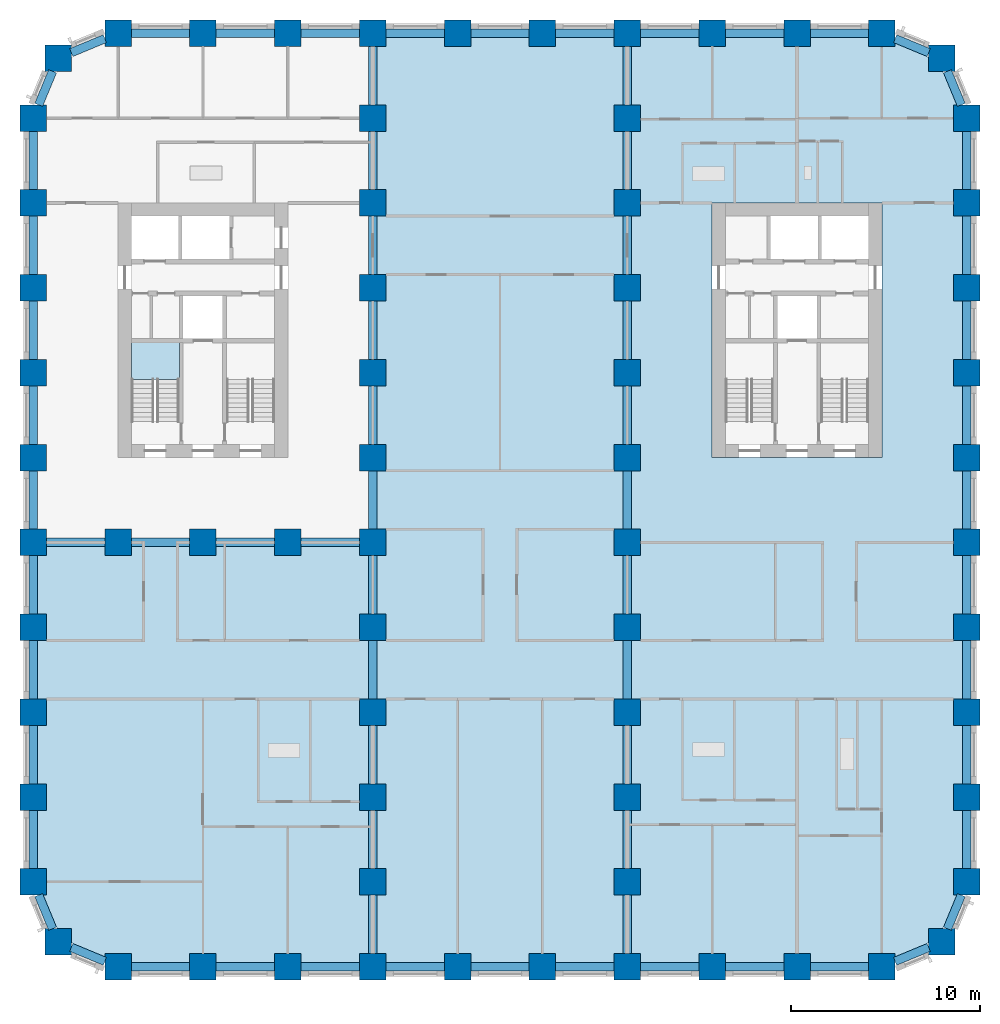
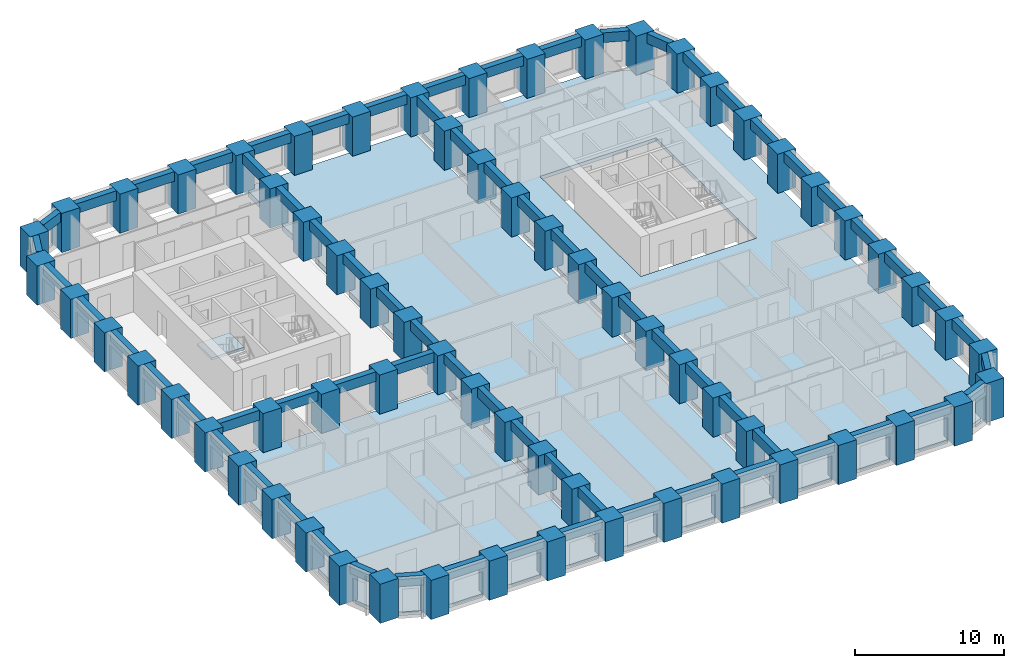
# One storey, part 1 of 12: 70 beams, 67 columns, 4 slabs, 1 element without a shape of its own.
"""IFC4 building model written with IfcOpenShell, lengths in metres."""

import ifcopenshell
import ifcopenshell.guid

model = None  # the IFC model being written
_history = None  # IfcOwnerHistory: only IFC2X3 demands one
_inside = {}  # id of a spatial element -> (the spatial element, [elements in it])
_under = {}  # id of a project, library or spatial element -> (it, [spatial elements below it])
_declared = {}  # id of a project -> (the project, [libraries it declares])
_typed = {}  # id of a type object -> (the type object, [elements of that type])
_made_of = {}  # id of a material, layer set ... -> (it, [elements and type objects made of it])


def new_model(schema):
    """Start an empty IFC model of exactly this schema.

    Asked for "IFC4X3", IfcOpenShell would pick the latest addendum, in which some entities
    have other attributes; the version numbers below select the first issue.
    IFC2X3 requires an IfcOwnerHistory on every rooted entity: one is made here for all.
    """
    global model, _history
    if schema == "IFC4X3":
        model = ifcopenshell.file(schema_version=(4, 3, 0, 0))
    else:
        model = ifcopenshell.file(schema=schema)
    _inside.clear()
    _under.clear()
    _declared.clear()
    _typed.clear()
    _made_of.clear()
    _history = None
    if model.schema == "IFC2X3":
        org = make("IfcOrganization", Name="unknown")
        user = make(
            "IfcPersonAndOrganization",
            ThePerson=make("IfcPerson", FamilyName="unknown"),
            TheOrganization=org,
        )
        app = make(
            "IfcApplication",
            ApplicationDeveloper=org,
            Version="unknown",
            ApplicationFullName="unknown",
            ApplicationIdentifier="unknown",
        )
        _history = make(
            "IfcOwnerHistory",
            OwningUser=user,
            OwningApplication=app,
            ChangeAction="ADDED",
            CreationDate=0,
        )
    return model


def make(cls, **values):
    """One entity of the class cls with the attributes given. An attribute that is None is left unset."""
    return model.create_entity(
        cls, **{name: value for name, value in values.items() if value is not None}
    )


def rooted(cls, **values):
    """An entity with a GlobalId (a new one), such as an element, a storey or a relation."""
    return make(cls, GlobalId=ifcopenshell.guid.new(), OwnerHistory=_history, **values)


def si_unit(unit_type, name, prefix=None):
    """IfcSIUnit, for example si_unit("LENGTHUNIT", "METRE", prefix="MILLI")."""
    return make("IfcSIUnit", UnitType=unit_type, Prefix=prefix, Name=name)


def assignment(units):
    """IfcUnitAssignment: the units of a project."""
    return None if units is None else make("IfcUnitAssignment", Units=units)


def point(xyz):
    """IfcCartesianPoint."""
    return None if xyz is None else make("IfcCartesianPoint", Coordinates=xyz)


def direction(xyz):
    """IfcDirection."""
    return None if xyz is None else make("IfcDirection", DirectionRatios=xyz)


def frame(location, z_axis=None, x_axis=None):
    """IfcAxis2Placement3D, a coordinate frame: its origin and axes. An axis left out is left unset."""
    return make(
        "IfcAxis2Placement3D",
        Location=point(location),
        Axis=direction(z_axis),
        RefDirection=direction(x_axis),
    )


def frame_2d(location, x_axis=None):
    """IfcAxis2Placement2D, a coordinate frame in the plane: its origin and x axis."""
    return make(
        "IfcAxis2Placement2D", Location=point(location), RefDirection=direction(x_axis)
    )


def origin():
    """The frame at (0, 0, 0) with its axes left unset."""
    return frame((0.0, 0.0, 0.0))


def origin_2d():
    """The frame at (0, 0) in the plane with its x axis left unset."""
    return frame_2d((0.0, 0.0))


def place(relative_to, where):
    """IfcLocalPlacement: puts the frame where relative to a parent placement (None: the world)."""
    return make(
        "IfcLocalPlacement", PlacementRelTo=relative_to, RelativePlacement=where
    )


def context(
    kind, dimensions, precision=None, world=None, true_north=None, identifier=None
):
    """IfcGeometricRepresentationContext, for example the 3D "Model" context."""
    return make(
        "IfcGeometricRepresentationContext",
        ContextIdentifier=identifier,
        ContextType=kind,
        CoordinateSpaceDimension=dimensions,
        Precision=precision,
        WorldCoordinateSystem=world,
        TrueNorth=true_north,
    )


def subcontext(parent, identifier, kind, view, scale=None):
    """IfcGeometricRepresentationSubContext, for example "Body" below "Model"."""
    return make(
        "IfcGeometricRepresentationSubContext",
        ContextIdentifier=identifier,
        ContextType=kind,
        ParentContext=parent,
        TargetScale=scale,
        TargetView=view,
    )


def project(units=None, contexts=None):
    """IfcProject with its units and contexts."""
    return rooted(
        "IfcProject",
        Name="project",
        RepresentationContexts=contexts,
        UnitsInContext=assignment(units),
    )


def spatial(cls, under=None, at=None, **own):
    """A site, building, storey or space (cls), placed at a placement, below another one or the project."""
    s = rooted(cls, ObjectPlacement=at, **own)
    if under is not None:
        _under.setdefault(under.id(), (under, []))[1].append(s)
    return s


def polyline(points):
    """IfcPolyline through the points."""
    return make("IfcPolyline", Points=[point(p) for p in points])


def profile(cls, at=None, kind="AREA", **sizes):
    """A parametric profile (cls). Its sizes go by their IFC names, for example OverallWidth=200.0."""
    return make(cls, ProfileType=kind, Position=at, **sizes)


def rectangle(**sizes):
    """IfcRectangleProfileDef."""
    return profile("IfcRectangleProfileDef", **sizes)


def outline(outer, holes=None, kind="AREA"):
    """IfcArbitraryClosedProfileDef: a profile drawn as a closed curve; with holes, ...WithVoids."""
    if holes is None:
        return make("IfcArbitraryClosedProfileDef", ProfileType=kind, OuterCurve=outer)
    return make(
        "IfcArbitraryProfileDefWithVoids",
        ProfileType=kind,
        OuterCurve=outer,
        InnerCurves=holes,
    )


def extrude(swept, where, along, depth):
    """IfcExtrudedAreaSolid: the profile swept, set in the frame where, extruded along a direction by depth."""
    return make(
        "IfcExtrudedAreaSolid",
        SweptArea=swept,
        Position=where,
        ExtrudedDirection=direction(along),
        Depth=depth,
    )


def shape(context_of_items, identifier, shape_type, items):
    """IfcShapeRepresentation: the items that make up one representation, for example the "Body"."""
    return make(
        "IfcShapeRepresentation",
        ContextOfItems=context_of_items,
        RepresentationIdentifier=identifier,
        RepresentationType=shape_type,
        Items=items,
    )


def material(Name=None, Category=None):
    """IfcMaterial."""
    return make("IfcMaterial", Name=Name, Category=Category)


def layer(
    of_material, thickness, ventilated=None, Name=None, Category=None, Priority=None
):
    """IfcMaterialLayer: one layer of a wall or slab, of a material (None: an air gap)."""
    return make(
        "IfcMaterialLayer",
        Material=of_material,
        LayerThickness=thickness,
        IsVentilated=ventilated,
        Name=Name,
        Category=Category,
        Priority=Priority,
    )


def layer_set(layers, Name=None):
    """IfcMaterialLayerSet."""
    return make("IfcMaterialLayerSet", MaterialLayers=layers, LayerSetName=Name)


def material_profile(
    of_material, cross_section, Name=None, Category=None, Priority=None
):
    """IfcMaterialProfile: a cross section and its material."""
    return make(
        "IfcMaterialProfile",
        Name=Name,
        Material=of_material,
        Profile=cross_section,
        Priority=Priority,
        Category=Category,
    )


def profile_set(profiles, Name=None, composite=None):
    """IfcMaterialProfileSet."""
    return make(
        "IfcMaterialProfileSet",
        Name=Name,
        MaterialProfiles=profiles,
        CompositeProfile=composite,
    )


def made_of(thing, what):
    """Note that an element or type object is made of a material, layer set ...; save() writes the relation."""
    if what is not None:
        _made_of.setdefault(what.id(), (what, []))[1].append(thing)
    return thing


def type_object(cls, material=None, **own):
    """A type object (cls), such as IfcWallType, which elements share."""
    return made_of(rooted(cls, **own), material)


def element(
    cls,
    number,
    at=None,
    inside=None,
    cuts=None,
    type_object=None,
    material=None,
    context=None,
    identifier="Body",
    shape_type=None,
    held_by="IfcProductDefinitionShape",
    body=None,
    shapes=None,
    **own,
):
    """One element of the class cls, such as IfcWall. Its Tag is "e" and its number.

    at: its placement. inside: the storey or other place that contains it. cuts: it is an
    opening in that element (IfcRelVoidsElement). A single representation is given by context,
    identifier, shape_type and body (its items); several are given by shapes. held_by: the class
    of the entity that holds the representations. save() writes the other relations.
    """
    e = rooted(cls, Tag="e%d" % number, ObjectPlacement=at, **own)
    if body is not None:
        shapes = [shape(context, identifier, shape_type, body)]
    if shapes is not None:
        e.Representation = make(held_by, Representations=shapes)
    if inside is not None:
        _inside.setdefault(inside.id(), (inside, []))[1].append(e)
    if cuts is not None:
        rooted(
            "IfcRelVoidsElement", RelatingBuildingElement=cuts, RelatedOpeningElement=e
        )
    if type_object is not None:
        _typed.setdefault(type_object.id(), (type_object, []))[1].append(e)
    return made_of(e, material)


def aggregate(whole, parts):
    """IfcRelAggregates: a whole, such as a stair, and the parts it consists of."""
    return rooted("IfcRelAggregates", RelatingObject=whole, RelatedObjects=parts)


def save(model, path):
    """Write the relations noted so far, then the file.

    IfcRelAggregates (storeys below a building ...), IfcRelContainedInSpatialStructure (elements
    in a storey), IfcRelDefinesByType, IfcRelAssociatesMaterial and IfcRelDeclares: one each for
    every whole, place, type object, material and project.
    """
    for whole, parts in _under.values():
        aggregate(whole, parts)
    for where, things in _inside.values():
        rooted(
            "IfcRelContainedInSpatialStructure",
            RelatedElements=things,
            RelatingStructure=where,
        )
    for kind, things in _typed.values():
        rooted("IfcRelDefinesByType", RelatedObjects=things, RelatingType=kind)
    for what, things in _made_of.values():
        rooted("IfcRelAssociatesMaterial", RelatedObjects=things, RelatingMaterial=what)
    for by, libraries in _declared.values():
        rooted("IfcRelDeclares", RelatingContext=by, RelatedDefinitions=libraries)
    model.write(path)


model = new_model("IFC4")

# Units and contexts
model_context = context("Model", 3, precision=1e-05, world=origin(), true_north=direction((0.0, 1.0)))
body_context = subcontext(model_context, "Body", "Model", "MODEL_VIEW")
ifc_project = project(units=[si_unit("LENGTHUNIT", "METRE"), si_unit("AREAUNIT", "SQUARE_METRE"), si_unit("VOLUMEUNIT", "CUBIC_METRE"), si_unit("PLANEANGLEUNIT", "RADIAN"), si_unit("MASSUNIT", "GRAM", prefix="KILO")], contexts=[model_context])

# Site, building, storey
site_placement = place(None, origin())
site = spatial("IfcSite", under=ifc_project, at=site_placement, CompositionType="ELEMENT")
building_placement = place(site_placement, origin())
building = spatial("IfcBuilding", under=site, at=building_placement, Name="Girih Gate Residences", CompositionType="ELEMENT")
storey_placement = place(building_placement, frame((0.0, 0.0, 33.60009765625)))
storey = spatial("IfcBuildingStorey", under=building, at=storey_placement, Name="L07", CompositionType="ELEMENT", Elevation=33.60009765625)

# Columns
ifc_material_1 = material(Name="Concrete C80/95", Category="concrete")
ifc_material_profile_1 = material_profile(ifc_material_1, rectangle(XDim=1.39990234375, YDim=1.39990234375, at=origin_2d()))
ifc_profile_set_1 = profile_set([ifc_material_profile_1], Name="Concrete C80/95")
column_type = type_object("IfcColumnType", Name="Pier RC 1400x1400 Concrete C80/95", PredefinedType="COLUMN", material=ifc_profile_set_1)
for number, where, z_axis, x_axis, name in (
    (1, (4.5, 0.0, 0.0), (0.0, 0.0, 1.0), (1.0, 0.0, 0.0), "Pier P2A L07"),
    (2, (9.0, 0.0, 0.0), (0.0, 0.0, 1.0), (1.0, 0.0, 0.0), "Pier P3A L07"),
    (3, (13.5, 0.0, 0.0), (0.0, 0.0, 1.0), (1.0, 0.0, 0.0), "Pier P4A L07"),
    (4, (18.0, 0.0, 0.0), (0.0, 0.0, 1.0), (1.0, 0.0, 0.0), "Pier P5A L07"),
    (5, (22.5, 0.0, 0.0), (0.0, 0.0, 1.0), (1.0, 0.0, 0.0), "Pier P6A L07"),
    (6, (27.0, 0.0, 0.0), (0.0, 0.0, 1.0), (1.0, 0.0, 0.0), "Pier P7A L07"),
    (7, (31.5, 0.0, 0.0), (0.0, 0.0, 1.0), (1.0, 0.0, 0.0), "Pier P8A L07"),
    (8, (36.0, 0.0, 0.0), (0.0, 0.0, 1.0), (1.0, 0.0, 0.0), "Pier P9A L07"),
    (9, (40.5, 0.0, 0.0), (0.0, 0.0, 1.0), (1.0, 0.0, 0.0), "Pier P10A L07"),
    (10, (45.0, 0.0, 0.0), (0.0, 0.0, 1.0), (1.0, 0.0, 0.0), "Pier P11A L07"),
    (11, (1.318115234375, 1.318115234375, 0.0), (0.0, 0.0, 1.0), (1.0, 0.0, 0.0), "Pier P1ANE L07"),
    (12, (48.181884765625, 1.318115234375, 0.0), (0.0, 0.0, 1.0), (1.0, 0.0, 0.0), "Pier P12ANW L07"),
    (13, (0.0, 4.5, 0.0), (0.0, 0.0, 1.0), (1.0, 0.0, 0.0), "Pier P1B L07"),
    (14, (18.0, 4.5, 0.0), (0.0, 0.0, 1.0), (1.0, 0.0, 0.0), "Pier P5B L07"),
    (15, (31.5, 4.5, 0.0), (0.0, 0.0, 1.0), (1.0, 0.0, 0.0), "Pier P8B L07"),
    (16, (49.5, 4.5, 0.0), (0.0, 0.0, 1.0), (1.0, 0.0, 0.0), "Pier P12B L07"),
    (17, (0.0, 9.0, 0.0), (0.0, 0.0, 1.0), (1.0, 0.0, 0.0), "Pier P1C L07"),
    (18, (18.0, 9.0, 0.0), (0.0, 0.0, 1.0), (1.0, 0.0, 0.0), "Pier P5C L07"),
    (19, (31.5, 9.0, 0.0), (0.0, 0.0, 1.0), (1.0, 0.0, 0.0), "Pier P8C L07"),
    (20, (49.5, 9.0, 0.0), (0.0, 0.0, 1.0), (1.0, 0.0, 0.0), "Pier P12C L07"),
    (21, (0.0, 13.5, 0.0), (0.0, 0.0, 1.0), (1.0, 0.0, 0.0), "Pier P1D L07"),
    (22, (18.0, 13.5, 0.0), (0.0, 0.0, 1.0), (1.0, 0.0, 0.0), "Pier P5D L07"),
    (23, (31.5, 13.5, 0.0), (0.0, 0.0, 1.0), (1.0, 0.0, 0.0), "Pier P8D L07"),
    (24, (49.5, 13.5, 0.0), (0.0, 0.0, 1.0), (1.0, 0.0, 0.0), "Pier P12D L07"),
    (25, (0.0, 18.0, 0.0), (0.0, 0.0, 1.0), (1.0, 0.0, 0.0), "Pier P1E L07"),
    (26, (18.0, 18.0, 0.0), (0.0, 0.0, 1.0), (1.0, 0.0, 0.0), "Pier P5E L07"),
    (27, (31.5, 18.0, 0.0), (0.0, 0.0, 1.0), (1.0, 0.0, 0.0), "Pier P8E L07"),
    (28, (49.5, 18.0, 0.0), (0.0, 0.0, 1.0), (1.0, 0.0, 0.0), "Pier P12E L07"),
    (29, (0.0, 22.5, 0.0), (0.0, 0.0, 1.0), (1.0, 0.0, 0.0), "Pier P1F L07"),
    (30, (4.5, 22.5, 0.0), (0.0, 0.0, 1.0), (1.0, 0.0, 0.0), "Pier P2F L07"),
    (31, (9.0, 22.5, 0.0), (0.0, 0.0, 1.0), (1.0, 0.0, 0.0), "Pier P3F L07"),
    (32, (13.5, 22.5, 0.0), (0.0, 0.0, 1.0), (1.0, 0.0, 0.0), "Pier P4F L07"),
    (33, (18.0, 22.5, 0.0), (0.0, 0.0, 1.0), (1.0, 0.0, 0.0), "Pier P5F L07"),
    (34, (31.5, 22.5, 0.0), (0.0, 0.0, 1.0), (1.0, 0.0, 0.0), "Pier P8F L07"),
    (35, (49.5, 22.5, 0.0), (0.0, 0.0, 1.0), (1.0, 0.0, 0.0), "Pier P12F L07"),
    (36, (0.0, 27.0, 0.0), (0.0, 0.0, 1.0), (1.0, 0.0, 0.0), "Pier P1G L07"),
    (37, (18.0, 27.0, 0.0), (0.0, 0.0, 1.0), (1.0, 0.0, 0.0), "Pier P5G L07"),
    (38, (31.5, 27.0, 0.0), (0.0, 0.0, 1.0), (1.0, 0.0, 0.0), "Pier P8G L07"),
    (39, (49.5, 27.0, 0.0), (0.0, 0.0, 1.0), (1.0, 0.0, 0.0), "Pier P12G L07"),
    (40, (0.0, 31.5, 0.0), (0.0, 0.0, 1.0), (1.0, 0.0, 0.0), "Pier P1H L07"),
    (41, (18.0, 31.5, 0.0), (0.0, 0.0, 1.0), (1.0, 0.0, 0.0), "Pier P5H L07"),
    (42, (31.5, 31.5, 0.0), (0.0, 0.0, 1.0), (1.0, 0.0, 0.0), "Pier P8H L07"),
    (43, (49.5, 31.5, 0.0), (0.0, 0.0, 1.0), (1.0, 0.0, 0.0), "Pier P12H L07"),
    (44, (0.0, 36.0, 0.0), (0.0, 0.0, 1.0), (1.0, 0.0, 0.0), "Pier P1I L07"),
    (45, (18.0, 36.0, 0.0), (0.0, 0.0, 1.0), (1.0, 0.0, 0.0), "Pier P5I L07"),
    (46, (31.5, 36.0, 0.0), (0.0, 0.0, 1.0), (1.0, 0.0, 0.0), "Pier P8I L07"),
    (47, (49.5, 36.0, 0.0), (0.0, 0.0, 1.0), (1.0, 0.0, 0.0), "Pier P12I L07"),
    (48, (0.0, 40.5, 0.0), (0.0, 0.0, 1.0), (1.0, 0.0, 0.0), "Pier P1J L07"),
    (49, (18.0, 40.5, 0.0), (0.0, 0.0, 1.0), (1.0, 0.0, 0.0), "Pier P5J L07"),
    (50, (31.5, 40.5, 0.0), (0.0, 0.0, 1.0), (1.0, 0.0, 0.0), "Pier P8J L07"),
    (51, (49.5, 40.5, 0.0), (0.0, 0.0, 1.0), (1.0, 0.0, 0.0), "Pier P12J L07"),
    (52, (0.0, 45.0, 0.0), (0.0, 0.0, 1.0), (1.0, 0.0, 0.0), "Pier P1K L07"),
    (53, (18.0, 45.0, 0.0), (0.0, 0.0, 1.0), (1.0, 0.0, 0.0), "Pier P5K L07"),
    (54, (31.5, 45.0, 0.0), (0.0, 0.0, 1.0), (1.0, 0.0, 0.0), "Pier P8K L07"),
    (55, (49.5, 45.0, 0.0), (0.0, 0.0, 1.0), (1.0, 0.0, 0.0), "Pier P12K L07"),
    (56, (1.318115234375, 48.181884765625, 0.0), (0.0, 0.0, 1.0), (1.0, 0.0, 0.0), "Pier P1LSE L07"),
    (57, (48.181884765625, 48.181884765625, 0.0), (0.0, 0.0, 1.0), (1.0, 0.0, 0.0), "Pier P12LSW L07"),
    (58, (4.5, 49.5, 0.0), (0.0, 0.0, 1.0), (1.0, 0.0, 0.0), "Pier P2L L07"),
    (59, (9.0, 49.5, 0.0), (0.0, 0.0, 1.0), (1.0, 0.0, 0.0), "Pier P3L L07"),
    (60, (13.5, 49.5, 0.0), (0.0, 0.0, 1.0), (1.0, 0.0, 0.0), "Pier P4L L07"),
    (61, (18.0, 49.5, 0.0), (0.0, 0.0, 1.0), (1.0, 0.0, 0.0), "Pier P5L L07"),
    (62, (22.5, 49.5, 0.0), (0.0, 0.0, 1.0), (1.0, 0.0, 0.0), "Pier P6L L07"),
    (63, (27.0, 49.5, 0.0), (0.0, 0.0, 1.0), (1.0, 0.0, 0.0), "Pier P7L L07"),
    (64, (31.5, 49.5, 0.0), (0.0, 0.0, 1.0), (1.0, 0.0, 0.0), "Pier P8L L07"),
    (65, (36.0, 49.5, 0.0), (0.0, 0.0, 1.0), (1.0, 0.0, 0.0), "Pier P9L L07"),
    (66, (40.5, 49.5, 0.0), (0.0, 0.0, 1.0), (1.0, 0.0, 0.0), "Pier P10L L07"),
    (67, (45.0, 49.5, 0.0), (0.0, 0.0, 1.0), (1.0, 0.0, 0.0), "Pier P11L L07"),
):
    element("IfcColumn", number, at=place(storey_placement, frame(where, z_axis=z_axis, x_axis=x_axis)), inside=storey, type_object=column_type, Name=name, PredefinedType="COLUMN", context=body_context, shape_type="SweptSolid", body=[
        extrude(rectangle(XDim=1.39990234375, YDim=1.39990234375, at=origin_2d()), origin(), (0.0, 0.0, 1.0), 3.199951171875),
    ])

# Beams
ifc_material_2 = material(Name="Concrete C60/75", Category="concrete")
ifc_material_profile_2 = material_profile(ifc_material_2, rectangle(XDim=0.449951171875, YDim=0.800048828125, at=origin_2d()))
ifc_profile_set_2 = profile_set([ifc_material_profile_2], Name="Concrete C60/75")
beam_type = type_object("IfcBeamType", Name="Spandrel girder RC 450x800 Concrete C60/75", PredefinedType="BEAM", material=ifc_profile_set_2)
for number, where, z_axis, x_axis, name in (
    (68, (0.2900390625, 3.800048828125, 2.7998046875), (0.382646180293, -0.923894961945, 0.0), (0.923894961945, 0.382646180293, 0.0), "Spandrel girder SP-P1B-P1ANE L07"),
    (69, (2.01806640625, 1.028076171875, 2.7998046875), (0.923894961945, -0.382646180293, 0.0), (0.382646180293, 0.923894961945, 0.0), "Spandrel girder SP-P1ANE-P2A L07"),
):
    element("IfcBeam", number, at=place(storey_placement, frame(where, z_axis=z_axis, x_axis=x_axis)), inside=storey, type_object=beam_type, Name=name, PredefinedType="BEAM", context=body_context, shape_type="SweptSolid", body=[
        extrude(rectangle(XDim=0.449951171875, YDim=0.800048828125, at=origin_2d()), origin(), (0.0, 0.0, 1.0), 1.9287109375),
    ])
for number, where, z_axis, x_axis, name in (
    (70, (5.199951171875, 0.0, 2.7998046875), (1.0, 0.0, 0.0), (0.0, 1.0, 0.0), "Spandrel girder SP-P2A-P3A L07"),
    (71, (9.699951171875, 0.0, 2.7998046875), (1.0, 0.0, 0.0), (0.0, 1.0, 0.0), "Spandrel girder SP-P3A-P4A L07"),
    (72, (14.199951171875, 0.0, 2.7998046875), (1.0, 0.0, 0.0), (0.0, 1.0, 0.0), "Spandrel girder SP-P4A-P5A L07"),
    (73, (18.699951171875, 0.0, 2.7998046875), (1.0, 0.0, 0.0), (0.0, 1.0, 0.0), "Spandrel girder SP-P5A-P6A L07"),
    (74, (23.199951171875, 0.0, 2.7998046875), (1.0, 0.0, 0.0), (0.0, 1.0, 0.0), "Spandrel girder SP-P6A-P7A L07"),
    (75, (27.699951171875, 0.0, 2.7998046875), (1.0, 0.0, 0.0), (0.0, 1.0, 0.0), "Spandrel girder SP-P7A-P8A L07"),
    (76, (32.199951171875, 0.0, 2.7998046875), (1.0, 0.0, 0.0), (0.0, 1.0, 0.0), "Spandrel girder SP-P8A-P9A L07"),
    (77, (36.699951171875, 0.0, 2.7998046875), (1.0, 0.0, 0.0), (0.0, 1.0, 0.0), "Spandrel girder SP-P9A-P10A L07"),
    (78, (41.199951171875, 0.0, 2.7998046875), (1.0, 0.0, 0.0), (0.0, 1.0, 0.0), "Spandrel girder SP-P10A-P11A L07"),
):
    element("IfcBeam", number, at=place(storey_placement, frame(where, z_axis=z_axis, x_axis=x_axis)), inside=storey, type_object=beam_type, Name=name, PredefinedType="BEAM", context=body_context, shape_type="SweptSolid", body=[
        extrude(rectangle(XDim=0.449951171875, YDim=0.800048828125, at=origin_2d()), origin(), (0.0, 0.0, 1.0), 3.10009765625),
    ])
for number, where, z_axis, x_axis, name in (
    (79, (45.699951171875, 0.2900390625, 2.7998046875), (0.923894961945, 0.382646180293, 0.0), (-0.382646180293, 0.923894961945, 0.0), "Spandrel girder SP-P11A-P12ANW L07"),
    (80, (48.471923828125, 2.01806640625, 2.7998046875), (0.382646180293, 0.923894961945, 0.0), (-0.923894961945, 0.382646180293, 0.0), "Spandrel girder SP-P12ANW-P12B L07"),
):
    element("IfcBeam", number, at=place(storey_placement, frame(where, z_axis=z_axis, x_axis=x_axis)), inside=storey, type_object=beam_type, Name=name, PredefinedType="BEAM", context=body_context, shape_type="SweptSolid", body=[
        extrude(rectangle(XDim=0.449951171875, YDim=0.800048828125, at=origin_2d()), origin(), (0.0, 0.0, 1.0), 1.9287109375),
    ])
for number, where, z_axis, x_axis, name in (
    (81, (49.5, 5.199951171875, 2.7998046875), (0.0, 1.0, 0.0), (-1.0, 0.0, 0.0), "Spandrel girder SP-P12B-P12C L07"),
    (82, (49.5, 9.699951171875, 2.7998046875), (0.0, 1.0, 0.0), (-1.0, 0.0, 0.0), "Spandrel girder SP-P12C-P12D L07"),
    (83, (49.5, 14.199951171875, 2.7998046875), (0.0, 1.0, 0.0), (-1.0, 0.0, 0.0), "Spandrel girder SP-P12D-P12E L07"),
    (84, (49.5, 18.699951171875, 2.7998046875), (0.0, 1.0, 0.0), (-1.0, 0.0, 0.0), "Spandrel girder SP-P12E-P12F L07"),
    (85, (49.5, 23.199951171875, 2.7998046875), (0.0, 1.0, 0.0), (-1.0, 0.0, 0.0), "Spandrel girder SP-P12F-P12G L07"),
    (86, (49.5, 27.699951171875, 2.7998046875), (0.0, 1.0, 0.0), (-1.0, 0.0, 0.0), "Spandrel girder SP-P12G-P12H L07"),
    (87, (49.5, 32.199951171875, 2.7998046875), (0.0, 1.0, 0.0), (-1.0, 0.0, 0.0), "Spandrel girder SP-P12H-P12I L07"),
    (88, (49.5, 36.699951171875, 2.7998046875), (0.0, 1.0, 0.0), (-1.0, 0.0, 0.0), "Spandrel girder SP-P12I-P12J L07"),
    (89, (49.5, 41.199951171875, 2.7998046875), (0.0, 1.0, 0.0), (-1.0, 0.0, 0.0), "Spandrel girder SP-P12J-P12K L07"),
):
    element("IfcBeam", number, at=place(storey_placement, frame(where, z_axis=z_axis, x_axis=x_axis)), inside=storey, type_object=beam_type, Name=name, PredefinedType="BEAM", context=body_context, shape_type="SweptSolid", body=[
        extrude(rectangle(XDim=0.449951171875, YDim=0.800048828125, at=origin_2d()), origin(), (0.0, 0.0, 1.0), 3.10009765625),
    ])
for number, where, z_axis, x_axis, name in (
    (90, (49.2099609375, 45.699951171875, 2.7998046875), (-0.382646180293, 0.923894961945, 0.0), (-0.923894961945, -0.382646180293, 0.0), "Spandrel girder SP-P12K-P12LSW L07"),
    (91, (47.48193359375, 48.471923828125, 2.7998046875), (-0.923894961945, 0.382646180293, 0.0), (-0.382646180293, -0.923894961945, 0.0), "Spandrel girder SP-P12LSW-P11L L07"),
):
    element("IfcBeam", number, at=place(storey_placement, frame(where, z_axis=z_axis, x_axis=x_axis)), inside=storey, type_object=beam_type, Name=name, PredefinedType="BEAM", context=body_context, shape_type="SweptSolid", body=[
        extrude(rectangle(XDim=0.449951171875, YDim=0.800048828125, at=origin_2d()), origin(), (0.0, 0.0, 1.0), 1.9287109375),
    ])
for number, where, z_axis, x_axis, name in (
    (92, (44.300048828125, 49.5, 2.7998046875), (-1.0, 0.0, 0.0), (0.0, -1.0, 0.0), "Spandrel girder SP-P11L-P10L L07"),
    (93, (39.800048828125, 49.5, 2.7998046875), (-1.0, 0.0, 0.0), (0.0, -1.0, 0.0), "Spandrel girder SP-P10L-P9L L07"),
    (94, (35.300048828125, 49.5, 2.7998046875), (-1.0, 0.0, 0.0), (0.0, -1.0, 0.0), "Spandrel girder SP-P9L-P8L L07"),
    (95, (30.800048828125, 49.5, 2.7998046875), (-1.0, 0.0, 0.0), (0.0, -1.0, 0.0), "Spandrel girder SP-P8L-P7L L07"),
    (96, (26.300048828125, 49.5, 2.7998046875), (-1.0, 0.0, 0.0), (0.0, -1.0, 0.0), "Spandrel girder SP-P7L-P6L L07"),
    (97, (21.800048828125, 49.5, 2.7998046875), (-1.0, 0.0, 0.0), (0.0, -1.0, 0.0), "Spandrel girder SP-P6L-P5L L07"),
    (98, (17.300048828125, 49.5, 2.7998046875), (-1.0, 0.0, 0.0), (0.0, -1.0, 0.0), "Spandrel girder SP-P5L-P4L L07"),
    (99, (12.800048828125, 49.5, 2.7998046875), (-1.0, 0.0, 0.0), (0.0, -1.0, 0.0), "Spandrel girder SP-P4L-P3L L07"),
    (100, (8.300048828125, 49.5, 2.7998046875), (-1.0, 0.0, 0.0), (0.0, -1.0, 0.0), "Spandrel girder SP-P3L-P2L L07"),
):
    element("IfcBeam", number, at=place(storey_placement, frame(where, z_axis=z_axis, x_axis=x_axis)), inside=storey, type_object=beam_type, Name=name, PredefinedType="BEAM", context=body_context, shape_type="SweptSolid", body=[
        extrude(rectangle(XDim=0.449951171875, YDim=0.800048828125, at=origin_2d()), origin(), (0.0, 0.0, 1.0), 3.10009765625),
    ])
for number, where, z_axis, x_axis, name in (
    (101, (3.800048828125, 49.2099609375, 2.7998046875), (-0.923894961945, -0.382646180293, 0.0), (0.382646180293, -0.923894961945, 0.0), "Spandrel girder SP-P2L-P1LSE L07"),
    (102, (1.028076171875, 47.48193359375, 2.7998046875), (-0.382646180293, -0.923894961945, 0.0), (0.923894961945, -0.382646180293, 0.0), "Spandrel girder SP-P1LSE-P1K L07"),
):
    element("IfcBeam", number, at=place(storey_placement, frame(where, z_axis=z_axis, x_axis=x_axis)), inside=storey, type_object=beam_type, Name=name, PredefinedType="BEAM", context=body_context, shape_type="SweptSolid", body=[
        extrude(rectangle(XDim=0.449951171875, YDim=0.800048828125, at=origin_2d()), origin(), (0.0, 0.0, 1.0), 1.9287109375),
    ])
for number, where, z_axis, x_axis, name in (
    (103, (0.0, 44.300048828125, 2.7998046875), (0.0, -1.0, 0.0), (1.0, 0.0, 0.0), "Spandrel girder SP-P1K-P1J L07"),
    (104, (0.0, 39.800048828125, 2.7998046875), (0.0, -1.0, 0.0), (1.0, 0.0, 0.0), "Spandrel girder SP-P1J-P1I L07"),
    (105, (0.0, 35.300048828125, 2.7998046875), (0.0, -1.0, 0.0), (1.0, 0.0, 0.0), "Spandrel girder SP-P1I-P1H L07"),
    (106, (0.0, 30.800048828125, 2.7998046875), (0.0, -1.0, 0.0), (1.0, 0.0, 0.0), "Spandrel girder SP-P1H-P1G L07"),
    (107, (0.0, 26.300048828125, 2.7998046875), (0.0, -1.0, 0.0), (1.0, 0.0, 0.0), "Spandrel girder SP-P1G-P1F L07"),
    (108, (0.0, 21.800048828125, 2.7998046875), (0.0, -1.0, 0.0), (1.0, 0.0, 0.0), "Spandrel girder SP-P1F-P1E L07"),
    (109, (0.0, 17.300048828125, 2.7998046875), (0.0, -1.0, 0.0), (1.0, 0.0, 0.0), "Spandrel girder SP-P1E-P1D L07"),
    (110, (0.0, 12.800048828125, 2.7998046875), (0.0, -1.0, 0.0), (1.0, 0.0, 0.0), "Spandrel girder SP-P1D-P1C L07"),
    (111, (0.0, 8.300048828125, 2.7998046875), (0.0, -1.0, 0.0), (1.0, 0.0, 0.0), "Spandrel girder SP-P1C-P1B L07"),
    (112, (18.0, 0.699951171875, 2.7998046875), (0.0, 1.0, 0.0), (-1.0, 0.0, 0.0), "Spandrel girder SP-P5A-P5B L07"),
    (113, (18.0, 5.199951171875, 2.7998046875), (0.0, 1.0, 0.0), (-1.0, 0.0, 0.0), "Spandrel girder SP-P5B-P5C L07"),
    (114, (18.0, 9.699951171875, 2.7998046875), (0.0, 1.0, 0.0), (-1.0, 0.0, 0.0), "Spandrel girder SP-P5C-P5D L07"),
    (115, (18.0, 14.199951171875, 2.7998046875), (0.0, 1.0, 0.0), (-1.0, 0.0, 0.0), "Spandrel girder SP-P5D-P5E L07"),
    (116, (18.0, 18.699951171875, 2.7998046875), (0.0, 1.0, 0.0), (-1.0, 0.0, 0.0), "Spandrel girder SP-P5E-P5F L07"),
    (117, (18.0, 23.199951171875, 2.7998046875), (0.0, 1.0, 0.0), (-1.0, 0.0, 0.0), "Spandrel girder SP-P5F-P5G L07"),
    (118, (18.0, 27.699951171875, 2.7998046875), (0.0, 1.0, 0.0), (-1.0, 0.0, 0.0), "Spandrel girder SP-P5G-P5H L07"),
    (119, (18.0, 32.199951171875, 2.7998046875), (0.0, 1.0, 0.0), (-1.0, 0.0, 0.0), "Spandrel girder SP-P5H-P5I L07"),
    (120, (18.0, 36.699951171875, 2.7998046875), (0.0, 1.0, 0.0), (-1.0, 0.0, 0.0), "Spandrel girder SP-P5I-P5J L07"),
    (121, (18.0, 41.199951171875, 2.7998046875), (0.0, 1.0, 0.0), (-1.0, 0.0, 0.0), "Spandrel girder SP-P5J-P5K L07"),
    (122, (18.0, 45.699951171875, 2.7998046875), (0.0, 1.0, 0.0), (-1.0, 0.0, 0.0), "Spandrel girder SP-P5K-P5L L07"),
    (123, (31.5, 0.699951171875, 2.7998046875), (0.0, 1.0, 0.0), (-1.0, 0.0, 0.0), "Spandrel girder SP-P8A-P8B L07"),
    (124, (31.5, 5.199951171875, 2.7998046875), (0.0, 1.0, 0.0), (-1.0, 0.0, 0.0), "Spandrel girder SP-P8B-P8C L07"),
    (125, (31.5, 9.699951171875, 2.7998046875), (0.0, 1.0, 0.0), (-1.0, 0.0, 0.0), "Spandrel girder SP-P8C-P8D L07"),
    (126, (31.5, 14.199951171875, 2.7998046875), (0.0, 1.0, 0.0), (-1.0, 0.0, 0.0), "Spandrel girder SP-P8D-P8E L07"),
    (127, (31.5, 18.699951171875, 2.7998046875), (0.0, 1.0, 0.0), (-1.0, 0.0, 0.0), "Spandrel girder SP-P8E-P8F L07"),
    (128, (31.5, 23.199951171875, 2.7998046875), (0.0, 1.0, 0.0), (-1.0, 0.0, 0.0), "Spandrel girder SP-P8F-P8G L07"),
    (129, (31.5, 27.699951171875, 2.7998046875), (0.0, 1.0, 0.0), (-1.0, 0.0, 0.0), "Spandrel girder SP-P8G-P8H L07"),
    (130, (31.5, 32.199951171875, 2.7998046875), (0.0, 1.0, 0.0), (-1.0, 0.0, 0.0), "Spandrel girder SP-P8H-P8I L07"),
    (131, (31.5, 36.699951171875, 2.7998046875), (0.0, 1.0, 0.0), (-1.0, 0.0, 0.0), "Spandrel girder SP-P8I-P8J L07"),
    (132, (31.5, 41.199951171875, 2.7998046875), (0.0, 1.0, 0.0), (-1.0, 0.0, 0.0), "Spandrel girder SP-P8J-P8K L07"),
    (133, (31.5, 45.699951171875, 2.7998046875), (0.0, 1.0, 0.0), (-1.0, 0.0, 0.0), "Spandrel girder SP-P8K-P8L L07"),
    (134, (0.699951171875, 22.5, 2.7998046875), (1.0, 0.0, 0.0), (0.0, 1.0, 0.0), "Spandrel girder SP-P1F-P2F L07"),
    (135, (5.199951171875, 22.5, 2.7998046875), (1.0, 0.0, 0.0), (0.0, 1.0, 0.0), "Spandrel girder SP-P2F-P3F L07"),
    (136, (9.699951171875, 22.5, 2.7998046875), (1.0, 0.0, 0.0), (0.0, 1.0, 0.0), "Spandrel girder SP-P3F-P4F L07"),
    (137, (14.199951171875, 22.5, 2.7998046875), (1.0, 0.0, 0.0), (0.0, 1.0, 0.0), "Spandrel girder SP-P4F-P5F L07"),
):
    element("IfcBeam", number, at=place(storey_placement, frame(where, z_axis=z_axis, x_axis=x_axis)), inside=storey, type_object=beam_type, Name=name, PredefinedType="BEAM", context=body_context, shape_type="SweptSolid", body=[
        extrude(rectangle(XDim=0.449951171875, YDim=0.800048828125, at=origin_2d()), origin(), (0.0, 0.0, 1.0), 3.10009765625),
    ])

# Slabs
ifc_material_3 = material(Name="Concrete C40/50", Category="concrete")
ifc_layer_1 = layer(ifc_material_3, 0.300048828125)
ifc_layer_set_1 = layer_set([ifc_layer_1], Name="Floor slab PT 300 Concrete C40/50")
slab_type_1 = type_object("IfcSlabType", Name="Floor slab PT 300 Concrete C40/50", PredefinedType="FLOOR", material=ifc_layer_set_1)
slab_1_placement = place(storey_placement, frame((0.0, 0.0, -0.300048828125)))
element("IfcSlab", 138, at=slab_1_placement, inside=storey, type_object=slab_type_1, Name="Floor slab L07 0", PredefinedType="FLOOR", context=body_context, shape_type="SweptSolid", body=[
    extrude(outline(polyline([(0.22509765625, 8.300048828125), (0.22509765625, 5.199951171875), (0.699951171875, 5.199951171875), (0.699951171875, 3.800048828125), (0.533447265625, 3.800048828125), (1.271728515625, 2.01806640625), (2.01806640625, 2.01806640625), (2.01806640625, 1.271728515625), (3.800048828125, 0.533447265625), (3.800048828125, 0.699951171875), (5.199951171875, 0.699951171875), (5.199951171875, 0.22509765625), (8.300048828125, 0.22509765625), (8.300048828125, 0.699951171875), (9.699951171875, 0.699951171875), (9.699951171875, 0.22509765625), (12.800048828125, 0.22509765625), (12.800048828125, 0.699951171875), (14.199951171875, 0.699951171875), (14.199951171875, 0.22509765625), (17.300048828125, 0.22509765625), (17.300048828125, 0.699951171875), (17.77490234375, 0.699951171875), (17.77490234375, 3.800048828125), (17.300048828125, 3.800048828125), (17.300048828125, 5.199951171875), (17.77490234375, 5.199951171875), (17.77490234375, 8.300048828125), (17.300048828125, 8.300048828125), (17.300048828125, 9.699951171875), (17.77490234375, 9.699951171875), (17.77490234375, 12.800048828125), (17.300048828125, 12.800048828125), (17.300048828125, 14.199951171875), (17.77490234375, 14.199951171875), (17.77490234375, 17.300048828125), (17.300048828125, 17.300048828125), (17.300048828125, 18.699951171875), (17.77490234375, 18.699951171875), (17.77490234375, 21.800048828125), (17.300048828125, 21.800048828125), (17.300048828125, 22.27490234375), (14.199951171875, 22.27490234375), (14.199951171875, 21.800048828125), (12.800048828125, 21.800048828125), (12.800048828125, 22.27490234375), (9.699951171875, 22.27490234375), (9.699951171875, 21.800048828125), (8.300048828125, 21.800048828125), (8.300048828125, 22.27490234375), (5.199951171875, 22.27490234375), (5.199951171875, 21.800048828125), (3.800048828125, 21.800048828125), (3.800048828125, 22.27490234375), (0.699951171875, 22.27490234375), (0.699951171875, 21.800048828125), (0.22509765625, 21.800048828125), (0.22509765625, 18.699951171875), (0.699951171875, 18.699951171875), (0.699951171875, 17.300048828125), (0.22509765625, 17.300048828125), (0.22509765625, 14.199951171875), (0.699951171875, 14.199951171875), (0.699951171875, 12.800048828125), (0.22509765625, 12.800048828125), (0.22509765625, 9.699951171875), (0.699951171875, 9.699951171875), (0.699951171875, 8.300048828125), (0.22509765625, 8.300048828125)])), origin(), (0.0, 0.0, 1.0), 0.300048828125),
])
slab_2_placement = place(storey_placement, frame((0.0, 0.0, -0.300048828125)))
element("IfcSlab", 139, at=slab_2_placement, inside=storey, type_object=slab_type_1, Name="Floor slab L07 1", PredefinedType="FLOOR", context=body_context, shape_type="SweptSolid", body=[
    extrude(outline(polyline([(35.300048828125, 49.27490234375), (32.199951171875, 49.27490234375), (32.199951171875, 48.800048828125), (31.72509765625, 48.800048828125), (31.72509765625, 45.699951171875), (32.199951171875, 45.699951171875), (32.199951171875, 44.300048828125), (31.72509765625, 44.300048828125), (31.72509765625, 41.199951171875), (32.199951171875, 41.199951171875), (32.199951171875, 39.800048828125), (31.72509765625, 39.800048828125), (31.72509765625, 36.699951171875), (32.199951171875, 36.699951171875), (32.199951171875, 35.300048828125), (31.72509765625, 35.300048828125), (31.72509765625, 32.199951171875), (32.199951171875, 32.199951171875), (32.199951171875, 30.800048828125), (31.72509765625, 30.800048828125), (31.72509765625, 27.699951171875), (32.199951171875, 27.699951171875), (32.199951171875, 26.300048828125), (31.72509765625, 26.300048828125), (31.72509765625, 23.199951171875), (32.199951171875, 23.199951171875), (32.199951171875, 21.800048828125), (31.72509765625, 21.800048828125), (31.72509765625, 18.699951171875), (32.199951171875, 18.699951171875), (32.199951171875, 17.300048828125), (31.72509765625, 17.300048828125), (31.72509765625, 14.199951171875), (32.199951171875, 14.199951171875), (32.199951171875, 12.800048828125), (31.72509765625, 12.800048828125), (31.72509765625, 9.699951171875), (32.199951171875, 9.699951171875), (32.199951171875, 8.300048828125), (31.72509765625, 8.300048828125), (31.72509765625, 5.199951171875), (32.199951171875, 5.199951171875), (32.199951171875, 3.800048828125), (31.72509765625, 3.800048828125), (31.72509765625, 0.699951171875), (32.199951171875, 0.699951171875), (32.199951171875, 0.22509765625), (35.300048828125, 0.22509765625), (35.300048828125, 0.699951171875), (36.699951171875, 0.699951171875), (36.699951171875, 0.22509765625), (39.800048828125, 0.22509765625), (39.800048828125, 0.699951171875), (41.199951171875, 0.699951171875), (41.199951171875, 0.22509765625), (44.300048828125, 0.22509765625), (44.300048828125, 0.699951171875), (45.699951171875, 0.699951171875), (45.699951171875, 0.533447265625), (47.48193359375, 1.271728515625), (47.48193359375, 2.01806640625), (48.228271484375, 2.01806640625), (48.966552734375, 3.800048828125), (48.800048828125, 3.800048828125), (48.800048828125, 5.199951171875), (49.27490234375, 5.199951171875), (49.27490234375, 8.300048828125), (48.800048828125, 8.300048828125), (48.800048828125, 9.699951171875), (49.27490234375, 9.699951171875), (49.27490234375, 12.800048828125), (48.800048828125, 12.800048828125), (48.800048828125, 14.199951171875), (49.27490234375, 14.199951171875), (49.27490234375, 17.300048828125), (48.800048828125, 17.300048828125), (48.800048828125, 18.699951171875), (49.27490234375, 18.699951171875), (49.27490234375, 21.800048828125), (48.800048828125, 21.800048828125), (48.800048828125, 23.199951171875), (49.27490234375, 23.199951171875), (49.27490234375, 26.300048828125), (48.800048828125, 26.300048828125), (48.800048828125, 27.699951171875), (49.27490234375, 27.699951171875), (49.27490234375, 30.800048828125), (48.800048828125, 30.800048828125), (48.800048828125, 32.199951171875), (49.27490234375, 32.199951171875), (49.27490234375, 35.300048828125), (48.800048828125, 35.300048828125), (48.800048828125, 36.699951171875), (49.27490234375, 36.699951171875), (49.27490234375, 39.800048828125), (48.800048828125, 39.800048828125), (48.800048828125, 41.199951171875), (49.27490234375, 41.199951171875), (49.27490234375, 44.300048828125), (48.800048828125, 44.300048828125), (48.800048828125, 45.699951171875), (48.966552734375, 45.699951171875), (48.228271484375, 47.48193359375), (47.48193359375, 47.48193359375), (47.48193359375, 48.228271484375), (45.699951171875, 48.966552734375), (45.699951171875, 48.800048828125), (44.300048828125, 48.800048828125), (44.300048828125, 49.27490234375), (41.199951171875, 49.27490234375), (41.199951171875, 48.800048828125), (39.800048828125, 48.800048828125), (39.800048828125, 49.27490234375), (36.699951171875, 49.27490234375), (36.699951171875, 48.800048828125), (35.300048828125, 48.800048828125), (35.300048828125, 49.27490234375)]), holes=[polyline([(45.0, 40.5), (45.0, 27.0), (36.0, 27.0), (36.0, 40.5), (45.0, 40.5)])]), origin(), (0.0, 0.0, 1.0), 0.300048828125),
])
ifc_layer_2 = layer(ifc_material_3, 0.449951171875)
ifc_layer_set_2 = layer_set([ifc_layer_2], Name="Floor slab PT 450 Concrete C40/50")
slab_type_2 = type_object("IfcSlabType", Name="Floor slab PT 450 Concrete C40/50", PredefinedType="FLOOR", material=ifc_layer_set_2)
slab_3_placement = place(storey_placement, frame((0.0, 0.0, -0.4501953125)))
element("IfcSlab", 140, at=slab_3_placement, inside=storey, type_object=slab_type_2, Name="Floor slab L07 2", PredefinedType="FLOOR", context=body_context, shape_type="SweptSolid", body=[
    extrude(outline(polyline([(21.800048828125, 49.27490234375), (18.699951171875, 49.27490234375), (18.699951171875, 48.800048828125), (18.22509765625, 48.800048828125), (18.22509765625, 45.699951171875), (18.699951171875, 45.699951171875), (18.699951171875, 44.300048828125), (18.22509765625, 44.300048828125), (18.22509765625, 41.199951171875), (18.699951171875, 41.199951171875), (18.699951171875, 39.800048828125), (18.22509765625, 39.800048828125), (18.22509765625, 36.699951171875), (18.699951171875, 36.699951171875), (18.699951171875, 35.300048828125), (18.22509765625, 35.300048828125), (18.22509765625, 32.199951171875), (18.699951171875, 32.199951171875), (18.699951171875, 30.800048828125), (18.22509765625, 30.800048828125), (18.22509765625, 27.699951171875), (18.699951171875, 27.699951171875), (18.699951171875, 26.300048828125), (18.22509765625, 26.300048828125), (18.22509765625, 23.199951171875), (18.699951171875, 23.199951171875), (18.699951171875, 21.800048828125), (18.22509765625, 21.800048828125), (18.22509765625, 18.699951171875), (18.699951171875, 18.699951171875), (18.699951171875, 17.300048828125), (18.22509765625, 17.300048828125), (18.22509765625, 14.199951171875), (18.699951171875, 14.199951171875), (18.699951171875, 12.800048828125), (18.22509765625, 12.800048828125), (18.22509765625, 9.699951171875), (18.699951171875, 9.699951171875), (18.699951171875, 8.300048828125), (18.22509765625, 8.300048828125), (18.22509765625, 5.199951171875), (18.699951171875, 5.199951171875), (18.699951171875, 3.800048828125), (18.22509765625, 3.800048828125), (18.22509765625, 0.699951171875), (18.699951171875, 0.699951171875), (18.699951171875, 0.22509765625), (21.800048828125, 0.22509765625), (21.800048828125, 0.699951171875), (23.199951171875, 0.699951171875), (23.199951171875, 0.22509765625), (26.300048828125, 0.22509765625), (26.300048828125, 0.699951171875), (27.699951171875, 0.699951171875), (27.699951171875, 0.22509765625), (30.800048828125, 0.22509765625), (30.800048828125, 0.699951171875), (31.27490234375, 0.699951171875), (31.27490234375, 3.800048828125), (30.800048828125, 3.800048828125), (30.800048828125, 5.199951171875), (31.27490234375, 5.199951171875), (31.27490234375, 8.300048828125), (30.800048828125, 8.300048828125), (30.800048828125, 9.699951171875), (31.27490234375, 9.699951171875), (31.27490234375, 12.800048828125), (30.800048828125, 12.800048828125), (30.800048828125, 14.199951171875), (31.27490234375, 14.199951171875), (31.27490234375, 17.300048828125), (30.800048828125, 17.300048828125), (30.800048828125, 18.699951171875), (31.27490234375, 18.699951171875), (31.27490234375, 21.800048828125), (30.800048828125, 21.800048828125), (30.800048828125, 23.199951171875), (31.27490234375, 23.199951171875), (31.27490234375, 26.300048828125), (30.800048828125, 26.300048828125), (30.800048828125, 27.699951171875), (31.27490234375, 27.699951171875), (31.27490234375, 30.800048828125), (30.800048828125, 30.800048828125), (30.800048828125, 32.199951171875), (31.27490234375, 32.199951171875), (31.27490234375, 35.300048828125), (30.800048828125, 35.300048828125), (30.800048828125, 36.699951171875), (31.27490234375, 36.699951171875), (31.27490234375, 39.800048828125), (30.800048828125, 39.800048828125), (30.800048828125, 41.199951171875), (31.27490234375, 41.199951171875), (31.27490234375, 44.300048828125), (30.800048828125, 44.300048828125), (30.800048828125, 45.699951171875), (31.27490234375, 45.699951171875), (31.27490234375, 48.800048828125), (30.800048828125, 48.800048828125), (30.800048828125, 49.27490234375), (27.699951171875, 49.27490234375), (27.699951171875, 48.800048828125), (26.300048828125, 48.800048828125), (26.300048828125, 49.27490234375), (23.199951171875, 49.27490234375), (23.199951171875, 48.800048828125), (21.800048828125, 48.800048828125), (21.800048828125, 49.27490234375)])), origin(), (0.0, 0.0, 1.0), 0.4501953125),
])

# Stair, slab
stair_type = type_object("IfcStairType", Name="Exit stair", PredefinedType="HALF_TURN_STAIR", material=ifc_material_3)
stair_placement = place(storey_placement, origin())
stair = element("IfcStair", 141, at=stair_placement, inside=storey, type_object=stair_type, Name="L07 Exit Stair ST-W1", PredefinedType="HALF_TURN_STAIR")
ifc_layer_3 = layer(ifc_material_3, 0.199951171875)
ifc_layer_set_3 = layer_set([ifc_layer_3], Name="Stair landing 200")
slab_type_3 = type_object("IfcSlabType", Name="Stair landing 200", PredefinedType="LANDING", material=ifc_layer_set_3)
slab_4_placement = place(storey_placement, frame((0.0, 0.0, 1.39990234375)))
slab_4 = element("IfcSlab", 142, at=slab_4_placement, type_object=slab_type_3, Name="ST-W1 landing 1", PredefinedType="LANDING", context=body_context, shape_type="SweptSolid", body=[
    extrude(outline(polyline([(7.75, 31.14990234375), (7.75, 33.10009765625), (5.199951171875, 33.10009765625), (5.199951171875, 31.14990234375), (7.75, 31.14990234375)])), origin(), (0.0, 0.0, 1.0), 0.199951171875),
])
aggregate(stair, [slab_4])

save(model, "model.ifc")
